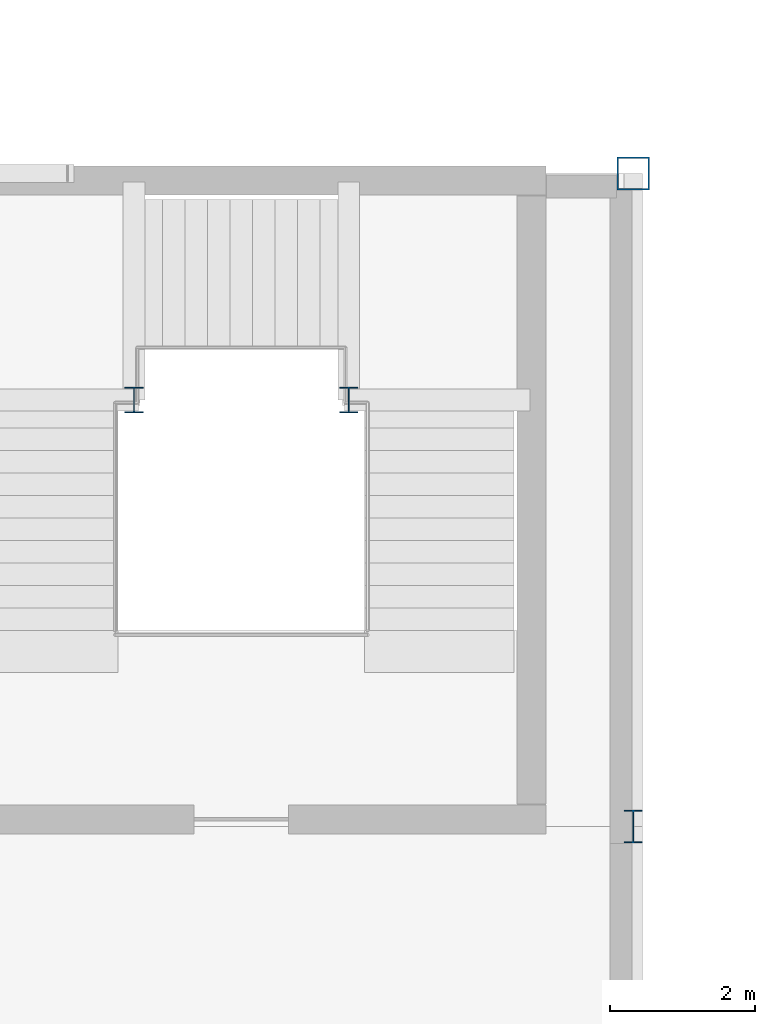
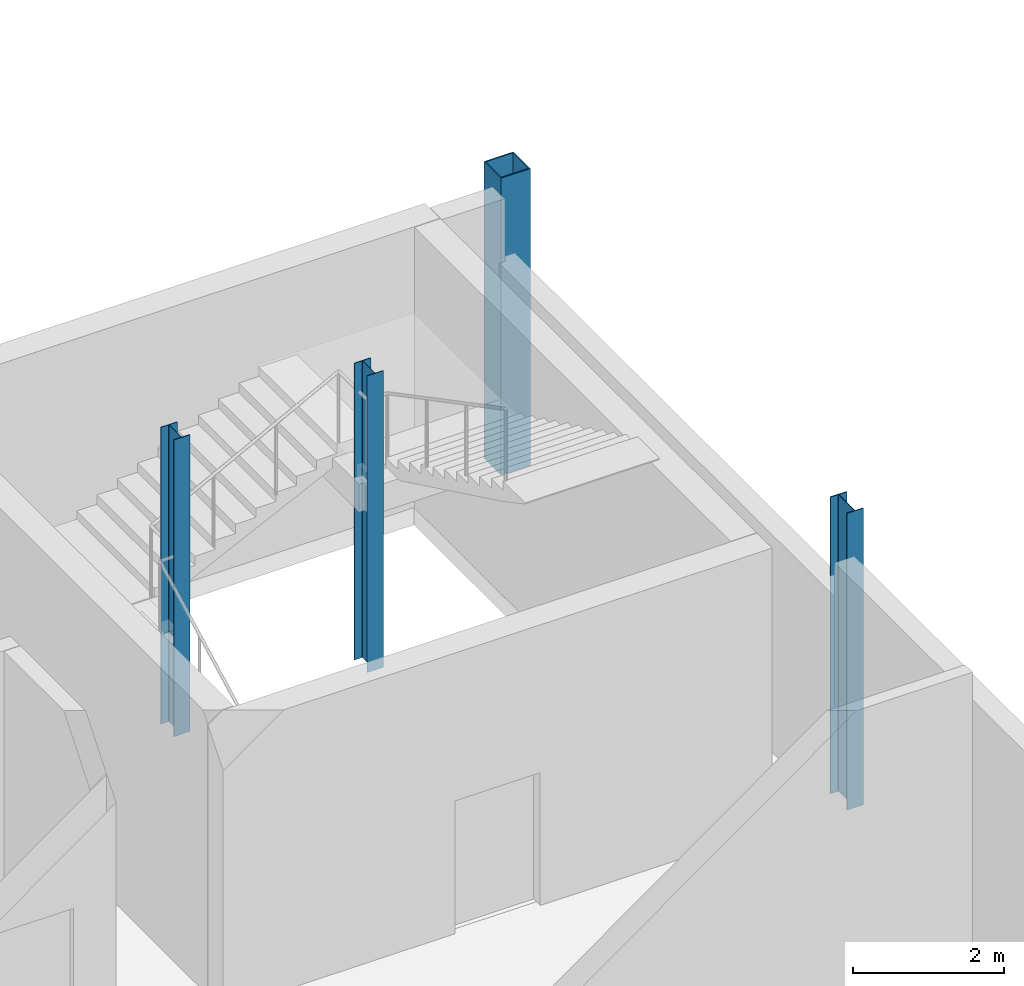
# One storey, part 11 of 127: 4 columns.
"""IFC4 building model written with IfcOpenShell, lengths in metres."""

from ifc_helpers import new_model, si_unit, derived_unit, direction, frame, origin, origin_2d, place, context, subcontext, project, spatial, hollow_rectangle, i_section, extrude, material, material_profile, profile_set, type_object, element, save


model = new_model("IFC4")

# Units and contexts
model_context = context("Model", 3, precision=1e-05, world=origin(), true_north=direction((0.0, 1.0)))
body_context = subcontext(model_context, "Body", "Model", "MODEL_VIEW")
ifc_project = project(units=[si_unit("LENGTHUNIT", "METRE"), si_unit("AREAUNIT", "SQUARE_METRE"), si_unit("VOLUMEUNIT", "CUBIC_METRE"), si_unit("PLANEANGLEUNIT", "RADIAN"), si_unit("MASSUNIT", "GRAM", prefix="KILO"), derived_unit("THERMALTRANSMITTANCEUNIT", [(si_unit("POWERUNIT", "WATT"), 1), (si_unit("LENGTHUNIT", "METRE"), -2), (si_unit("THERMODYNAMICTEMPERATUREUNIT", "KELVIN"), -1)])], contexts=[model_context])

# Site, building, storey
site_placement = place(None, origin())
site = spatial("IfcSite", under=ifc_project, at=site_placement, CompositionType="ELEMENT")
building_placement = place(site_placement, origin())
building = spatial("IfcBuilding", under=site, at=building_placement, Name="Nallur Shell Playhouse", CompositionType="ELEMENT")
storey_placement = place(building_placement, frame((0.0, 0.0, 5.39990234375)))
storey = spatial("IfcBuildingStorey", under=building, at=storey_placement, Name="L02", CompositionType="ELEMENT", Elevation=5.39990234375)

# Columns
ifc_material = material(Name="Steel E350", Category="steel")
ifc_material_profile_1 = material_profile(ifc_material, hollow_rectangle(XDim=0.449951171875, YDim=0.449951171875, WallThickness=0.02001953125, at=origin_2d()), Name="BOX 450x450x20")
ifc_profile_set_1 = profile_set([ifc_material_profile_1], Name="Steel E350")
column_type_1 = type_object("IfcColumnType", Name="CL-ST-BOX450", PredefinedType="COLUMN", material=ifc_profile_set_1)
column_1_placement = place(storey_placement, frame((103.0, 83.0, 0.0), z_axis=(0.0, 0.0, 1.0), x_axis=(1.0, 0.0, 0.0)))
element("IfcColumn", 1, at=column_1_placement, inside=storey, type_object=column_type_1, Name="Column 13-K (L02)", PredefinedType="COLUMN", context=body_context, shape_type="SweptSolid", body=[
    extrude(hollow_rectangle(XDim=0.449951171875, YDim=0.449951171875, WallThickness=0.02001953125, at=origin_2d()), origin(), (0.0, 0.0, 1.0), 4.800048828125),
])
ifc_material_profile_2 = material_profile(ifc_material, i_section(OverallWidth=0.25, OverallDepth=0.35009765625, WebThickness=0.010009765625, FlangeThickness=0.01171875, FilletRadius=0.011962890625, at=origin_2d()), Name="ISHB 350")
ifc_profile_set_2 = profile_set([ifc_material_profile_2], Name="Steel E350")
column_type_2 = type_object("IfcColumnType", Name="CL-ST-ISHB350", PredefinedType="COLUMN", material=ifc_profile_set_2)
for number, where, z_axis, x_axis, name in (
    (2, (96.1201171875, 79.8798828125, 0.0), (0.0, 0.0, 1.0), (1.0, 0.0, 0.0), "Column STW-JC-4-W (L02)"),
    (3, (99.080078125, 79.8798828125, 0.0), (0.0, 0.0, 1.0), (1.0, 0.0, 0.0), "Column STW-JC-4-E (L02)"),
):
    element("IfcColumn", number, at=place(storey_placement, frame(where, z_axis=z_axis, x_axis=x_axis)), inside=storey, type_object=column_type_2, Name=name, PredefinedType="COLUMN", context=body_context, shape_type="SweptSolid", body=[
        extrude(i_section(OverallWidth=0.25, OverallDepth=0.35009765625, WebThickness=0.010009765625, FlangeThickness=0.01171875, FilletRadius=0.011962890625, at=origin_2d()), origin(), (0.0, 0.0, 1.0), 4.800048828125),
    ])
ifc_material_profile_3 = material_profile(ifc_material, i_section(OverallWidth=0.25, OverallDepth=0.449951171875, WebThickness=0.01123046875, FlangeThickness=0.013671875, FilletRadius=0.014892578125, at=origin_2d()), Name="ISHB 450")
ifc_profile_set_3 = profile_set([ifc_material_profile_3], Name="Steel E350")
column_type_3 = type_object("IfcColumnType", Name="CL-ST-ISHB450", PredefinedType="COLUMN", material=ifc_profile_set_3)
column_2_placement = place(storey_placement, frame((103.0, 74.0, 0.0), z_axis=(0.0, 0.0, 1.0), x_axis=(1.0, 0.0, 0.0)))
element("IfcColumn", 4, at=column_2_placement, inside=storey, type_object=column_type_3, Name="Column 13-J (L02)", PredefinedType="COLUMN", context=body_context, shape_type="SweptSolid", body=[
    extrude(i_section(OverallWidth=0.25, OverallDepth=0.449951171875, WebThickness=0.01123046875, FlangeThickness=0.013671875, FilletRadius=0.014892578125, at=origin_2d()), origin(), (0.0, 0.0, 1.0), 4.800048828125),
])

save(model, "model.ifc")
